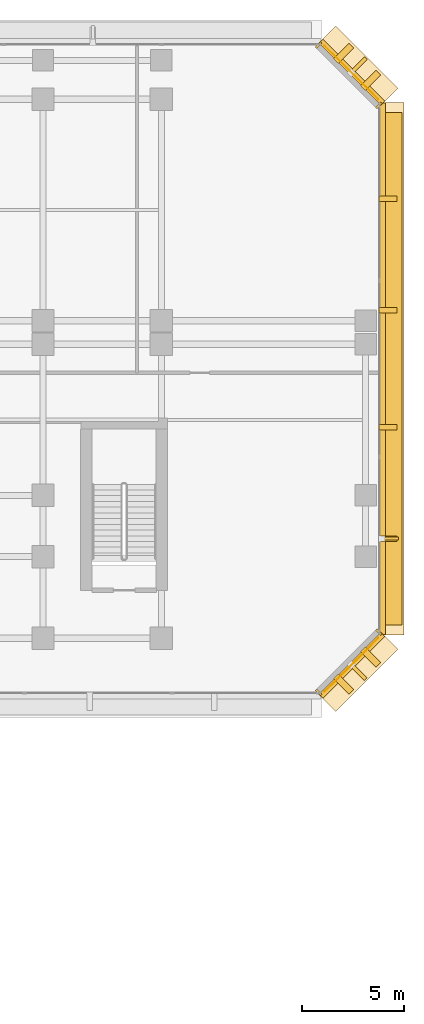
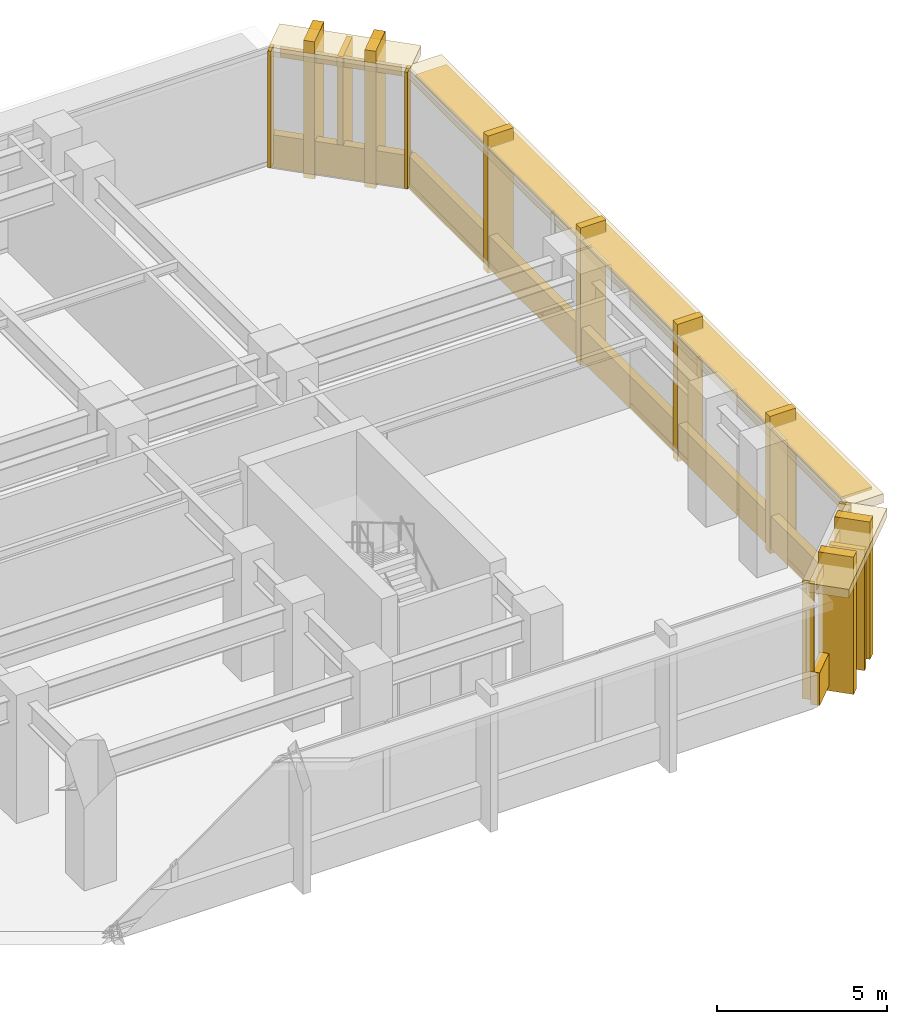
# One storey, part 16 of 16: 20 coverings, 4 shading devices.
"""IFC4 building model written with IfcOpenShell, lengths in metres."""

from ifc_helpers import new_model, si_unit, direction, frame, origin, origin_2d, place, context, subcontext, project, spatial, rectangle, extrude, material, layer, layer_set, material_profile, profile_set, type_object, element, save


model = new_model("IFC4")

# Units and contexts
model_context = context("Model", 3, precision=1e-05, world=origin(), true_north=direction((0.0, 1.0)))
body_context = subcontext(model_context, "Body", "Model", "MODEL_VIEW")
ifc_project = project(units=[si_unit("LENGTHUNIT", "METRE"), si_unit("AREAUNIT", "SQUARE_METRE"), si_unit("VOLUMEUNIT", "CUBIC_METRE"), si_unit("PLANEANGLEUNIT", "RADIAN"), si_unit("MASSUNIT", "GRAM", prefix="KILO")], contexts=[model_context])

# Site, building, storey
site_placement = place(None, origin())
site = spatial("IfcSite", under=ifc_project, at=site_placement, CompositionType="ELEMENT")
building_placement = place(site_placement, origin())
building = spatial("IfcBuilding", under=site, at=building_placement, Name="Kefirva Bronze Tower", CompositionType="ELEMENT")
storey_placement = place(building_placement, frame((0.0, 0.0, 21.1201171875)))
storey = spatial("IfcBuildingStorey", under=building, at=storey_placement, Name="L04", CompositionType="ELEMENT", Elevation=21.1201171875)

# Coverings
ifc_material = material(Name="Bronze anodised aluminium", Category="aluminium")
ifc_layer_1 = layer(ifc_material, 0.02001953125, Name="Bronze anodised aluminium")
ifc_layer_set_1 = layer_set([ifc_layer_1], Name="Bronze anodised aluminium")
covering_type_1 = type_object("IfcCoveringType", Name="Anodised Bronze Spandrel Cladding 20mm", PredefinedType="CLADDING", material=ifc_layer_set_1)
covering_1_placement = place(storey_placement, frame((64.507080078125, 17.492919921875, 3.780029296875), z_axis=(0.0, 0.0, 1.0), x_axis=(0.707106781187, 0.707106781187, 0.0)))
element("IfcCovering", 1, at=covering_1_placement, inside=storey, type_object=covering_type_1, Name="L04 Bronze Spandrel Cladding 4", PredefinedType="CLADDING", context=body_context, shape_type="SweptSolid", body=[
    extrude(rectangle(XDim=3.719482421875, YDim=0.02001953125, at=origin_2d()), origin(), (0.0, 0.0, 1.0), 0.39990234375),
])
for number, where, z_axis, x_axis, name in (
    (2, (62.8974609375, 16.152099609375, 0.0), (0.0, 0.0, 1.0), (0.707106781187, 0.707106781187, 0.0), "L04 Facade Joint Closure Panel 4S"),
    (3, (65.847900390625, 19.1025390625, 0.0), (0.0, 0.0, 1.0), (0.707106781187, 0.707106781187, 0.0), "L04 Facade Joint Closure Panel 4E"),
):
    element("IfcCovering", number, at=place(storey_placement, frame(where, z_axis=z_axis, x_axis=x_axis)), inside=storey, type_object=covering_type_1, Name=name, PredefinedType="CLADDING", context=body_context, shape_type="SweptSolid", body=[
        extrude(rectangle(XDim=0.10009765625, YDim=0.360107421875, at=origin_2d()), origin(), (0.0, 0.0, 1.0), 4.199951171875),
    ])
covering_2_placement = place(storey_placement, frame((64.5283203125, 17.4716796875, -0.16015625), z_axis=(0.0, 0.0, 1.0), x_axis=(0.707106781187, 0.707106781187, 0.0)))
element("IfcCovering", 4, at=covering_2_placement, inside=storey, type_object=covering_type_1, Name="L04 Streamline Horizontal Spandrel Band 5", PredefinedType="CLADDING", context=body_context, shape_type="SweptSolid", body=[
    extrude(rectangle(XDim=4.28271484375, YDim=0.280029296875, at=origin_2d()), origin(), (0.0, 0.0, 1.0), 1.179931640625),
])
covering_3_placement = place(storey_placement, frame((66.0400390625, 32.0, -0.16015625), z_axis=(0.0, 0.0, 1.0), x_axis=(0.0, 1.0, 0.0)))
element("IfcCovering", 5, at=covering_3_placement, inside=storey, type_object=covering_type_1, Name="L04 Streamline Horizontal Spandrel Band 6", PredefinedType="CLADDING", context=body_context, shape_type="SweptSolid", body=[
    extrude(rectangle(XDim=26.0400390625, YDim=0.280029296875, at=origin_2d()), origin(), (0.0, 0.0, 1.0), 1.179931640625),
])
covering_4_placement = place(storey_placement, frame((64.507080078125, 46.507080078125, 3.780029296875), z_axis=(0.0, 0.0, 1.0), x_axis=(-0.707106781187, 0.707106781187, 0.0)))
element("IfcCovering", 6, at=covering_4_placement, inside=storey, type_object=covering_type_1, Name="L04 Bronze Spandrel Cladding 5", PredefinedType="CLADDING", context=body_context, shape_type="SweptSolid", body=[
    extrude(rectangle(XDim=3.719482421875, YDim=0.02001953125, at=origin_2d()), origin(), (0.0, 0.0, 1.0), 0.39990234375),
])
for number, where, z_axis, x_axis, name in (
    (7, (65.847900390625, 44.8974609375, 0.0), (0.0, 0.0, 1.0), (-0.707106781187, 0.707106781187, 0.0), "L04 Facade Joint Closure Panel 5S"),
    (8, (62.8974609375, 47.847900390625, 0.0), (0.0, 0.0, 1.0), (-0.707106781187, 0.707106781187, 0.0), "L04 Facade Joint Closure Panel 5E"),
):
    element("IfcCovering", number, at=place(storey_placement, frame(where, z_axis=z_axis, x_axis=x_axis)), inside=storey, type_object=covering_type_1, Name=name, PredefinedType="CLADDING", context=body_context, shape_type="SweptSolid", body=[
        extrude(rectangle(XDim=0.10009765625, YDim=0.360107421875, at=origin_2d()), origin(), (0.0, 0.0, 1.0), 4.199951171875),
    ])
covering_5_placement = place(storey_placement, frame((64.5283203125, 46.5283203125, -0.16015625), z_axis=(0.0, 0.0, 1.0), x_axis=(-0.707106781187, 0.707106781187, 0.0)))
element("IfcCovering", 9, at=covering_5_placement, inside=storey, type_object=covering_type_1, Name="L04 Streamline Horizontal Spandrel Band 7", PredefinedType="CLADDING", context=body_context, shape_type="SweptSolid", body=[
    extrude(rectangle(XDim=4.28271484375, YDim=0.280029296875, at=origin_2d()), origin(), (0.0, 0.0, 1.0), 1.179931640625),
])

# Shading devices
ifc_material_profile_1 = material_profile(ifc_material, rectangle(XDim=0.179931640625, YDim=1.080078125, at=origin_2d()), Name="BRONZE BUTTRESS FIN 180x1080")
ifc_profile_set_1 = profile_set([ifc_material_profile_1], Name="Bronze anodised aluminium")
shading_device_type_1 = type_object("IfcShadingDeviceType", Name="Chamfered Corner Buttress Bronze Fin 1080mm", PredefinedType="USERDEFINED", material=ifc_profile_set_1)
for number, where, z_axis, x_axis, name in (
    (10, (64.8251953125, 17.1748046875, -0.14013671875), (0.0, 0.0, 1.0), (0.707106781187, 0.707106781187, 0.0), "L04 Chamfered Corner Buttress Fin 14"),
    (11, (64.8251953125, 46.8251953125, -0.14013671875), (0.0, 0.0, 1.0), (-0.707106781187, 0.707106781187, 0.0), "L04 Chamfered Corner Buttress Fin 20"),
):
    element("IfcShadingDevice", number, at=place(storey_placement, frame(where, z_axis=z_axis, x_axis=x_axis)), inside=storey, type_object=shading_device_type_1, Name=name, ObjectType="VERTICAL FIN", PredefinedType="USERDEFINED", context=body_context, shape_type="SweptSolid", body=[
        extrude(rectangle(XDim=0.179931640625, YDim=1.080078125, at=origin_2d()), origin(), (0.0, 0.0, 1.0), 4.340087890625),
    ])
ifc_layer_2 = layer(ifc_material, 0.1201171875, Name="Bronze anodised aluminium")
ifc_layer_set_2 = layer_set([ifc_layer_2], Name="Bronze anodised aluminium")
shading_device_type_2 = type_object("IfcShadingDeviceType", Name="Podium Deep Bronze Canopy Sunshade 1050mm", PredefinedType="JALOUSIE", material=ifc_layer_set_2)
shading_device_1_placement = place(storey_placement, frame((66.445068359375, 32.0, 4.0947265625), z_axis=(0.0, 0.0, 1.0), x_axis=(0.0, 1.0, 0.0)))
element("IfcShadingDevice", 12, at=shading_device_1_placement, inside=storey, type_object=shading_device_type_2, Name="L04 Horizontal Bronze Sunshade Band 6", PredefinedType="JALOUSIE", context=body_context, shape_type="SweptSolid", body=[
    extrude(rectangle(XDim=25.090087890625, YDim=1.050048828125, at=origin_2d()), origin(), (0.0, 0.0, 1.0), 0.090087890625),
])

# Coverings
ifc_layer_3 = layer(ifc_material, 0.179931640625, Name="Bronze anodised aluminium")
ifc_layer_set_3 = layer_set([ifc_layer_3], Name="Bronze anodised aluminium")
covering_type_2 = type_object("IfcCoveringType", Name="Streamline Bronze Sunshade Eyebrow Cladding 180mm", PredefinedType="CLADDING", material=ifc_layer_set_3)
covering_6_placement = place(storey_placement, frame((64.8251953125, 17.1748046875, 3.8798828125), z_axis=(0.0, 0.0, 1.0), x_axis=(0.707106781187, 0.707106781187, 0.0)))
element("IfcCovering", 13, at=covering_6_placement, inside=storey, type_object=covering_type_2, Name="L04 Streamline Bronze Sunshade Eyebrow 5", PredefinedType="CLADDING", context=body_context, shape_type="SweptSolid", body=[
    extrude(rectangle(XDim=4.322509765625, YDim=1.239990234375, at=origin_2d()), origin(), (0.0, 0.0, 1.0), 0.320068359375),
])
covering_7_placement = place(storey_placement, frame((66.4599609375, 32.0, 3.8798828125), z_axis=(0.0, 0.0, 1.0), x_axis=(0.0, 1.0, 0.0)))
element("IfcCovering", 14, at=covering_7_placement, inside=storey, type_object=covering_type_2, Name="L04 Streamline Bronze Sunshade Eyebrow 6", PredefinedType="CLADDING", context=body_context, shape_type="SweptSolid", body=[
    extrude(rectangle(XDim=26.080078125, YDim=1.239990234375, at=origin_2d()), origin(), (0.0, 0.0, 1.0), 0.320068359375),
])
covering_8_placement = place(storey_placement, frame((64.8251953125, 46.8251953125, 3.8798828125), z_axis=(0.0, 0.0, 1.0), x_axis=(-0.707106781187, 0.707106781187, 0.0)))
element("IfcCovering", 15, at=covering_8_placement, inside=storey, type_object=covering_type_2, Name="L04 Streamline Bronze Sunshade Eyebrow 7", PredefinedType="CLADDING", context=body_context, shape_type="SweptSolid", body=[
    extrude(rectangle(XDim=4.322509765625, YDim=1.239990234375, at=origin_2d()), origin(), (0.0, 0.0, 1.0), 0.320068359375),
])
ifc_layer_4 = layer(ifc_material, 0.260009765625, Name="Bronze anodised aluminium")
ifc_layer_set_4 = layer_set([ifc_layer_4], Name="Bronze anodised aluminium")
covering_type_3 = type_object("IfcCoveringType", Name="Unbroken Bronze Buttress Fin Cladding 260mm", PredefinedType="CLADDING", material=ifc_layer_set_4)
for number, where, z_axis, x_axis, name in (
    (16, (64.122802734375, 16.55712890625, -0.320068359375), (0.0, 0.0, 1.0), (0.707106781187, 0.707106781187, 0.0), "L04 Chamfered Corner Buttress Fin Cladding 13"),
    (17, (65.44287109375, 17.877197265625, -0.320068359375), (0.0, 0.0, 1.0), (0.707106781187, 0.707106781187, 0.0), "L04 Chamfered Corner Buttress Fin Cladding 14"),
):
    element("IfcCovering", number, at=place(storey_placement, frame(where, z_axis=z_axis, x_axis=x_axis)), inside=storey, type_object=covering_type_3, Name=name, PredefinedType="CLADDING", context=body_context, shape_type="SweptSolid", body=[
        extrude(rectangle(XDim=0.340087890625, YDim=1.080078125, at=origin_2d()), origin(), (0.0, 0.0, 1.0), 4.93994140625),
    ])
for number, where, z_axis, x_axis, name in (
    (18, (66.300048828125, 23.679931640625, -0.320068359375), (0.0, 0.0, 1.0), (0.0, 1.0, 0.0), "L04 Unbroken Vertical Bronze Rib Fin 15"),
    (19, (66.300048828125, 29.139892578125, -0.320068359375), (0.0, 0.0, 1.0), (0.0, 1.0, 0.0), "L04 Unbroken Vertical Bronze Rib Fin 16"),
    (20, (66.300048828125, 34.860107421875, -0.320068359375), (0.0, 0.0, 1.0), (0.0, 1.0, 0.0), "L04 Unbroken Vertical Bronze Rib Fin 17"),
    (21, (66.300048828125, 40.320068359375, -0.320068359375), (0.0, 0.0, 1.0), (0.0, 1.0, 0.0), "L04 Unbroken Vertical Bronze Rib Fin 18"),
):
    element("IfcCovering", number, at=place(storey_placement, frame(where, z_axis=z_axis, x_axis=x_axis)), inside=storey, type_object=covering_type_3, Name=name, PredefinedType="CLADDING", context=body_context, shape_type="SweptSolid", body=[
        extrude(rectangle(XDim=0.260009765625, YDim=0.8798828125, at=origin_2d()), origin(), (0.0, 0.0, 1.0), 4.93994140625),
    ])
for number, where, z_axis, x_axis, name in (
    (22, (65.44287109375, 46.122802734375, -0.320068359375), (0.0, 0.0, 1.0), (-0.707106781187, 0.707106781187, 0.0), "L04 Chamfered Corner Buttress Fin Cladding 19"),
    (23, (64.122802734375, 47.44287109375, -0.320068359375), (0.0, 0.0, 1.0), (-0.707106781187, 0.707106781187, 0.0), "L04 Chamfered Corner Buttress Fin Cladding 20"),
):
    element("IfcCovering", number, at=place(storey_placement, frame(where, z_axis=z_axis, x_axis=x_axis)), inside=storey, type_object=covering_type_3, Name=name, PredefinedType="CLADDING", context=body_context, shape_type="SweptSolid", body=[
        extrude(rectangle(XDim=0.340087890625, YDim=1.080078125, at=origin_2d()), origin(), (0.0, 0.0, 1.0), 4.93994140625),
    ])

# Shading device
ifc_material_profile_2 = material_profile(ifc_material, rectangle(XDim=0.139892578125, YDim=0.8798828125, at=origin_2d()), Name="BRONZE FIN 140x880")
ifc_profile_set_2 = profile_set([ifc_material_profile_2], Name="Bronze anodised aluminium")
shading_device_type_3 = type_object("IfcShadingDeviceType", Name="Unbroken Vertical Bronze Facade Fin 880mm", PredefinedType="USERDEFINED", material=ifc_profile_set_2)
shading_device_2_placement = place(storey_placement, frame((66.360107421875, 23.679931640625, -0.14013671875), z_axis=(0.0, 0.0, 1.0), x_axis=(0.0, 1.0, 0.0)))
element("IfcShadingDevice", 24, at=shading_device_2_placement, inside=storey, type_object=shading_device_type_3, Name="L04 Vertical Bronze Rib Fin 15", ObjectType="VERTICAL FIN", PredefinedType="USERDEFINED", context=body_context, shape_type="SweptSolid", body=[
    extrude(rectangle(XDim=0.139892578125, YDim=0.8798828125, at=origin_2d()), origin(), (0.0, 0.0, 1.0), 4.340087890625),
])

save(model, "model.ifc")
